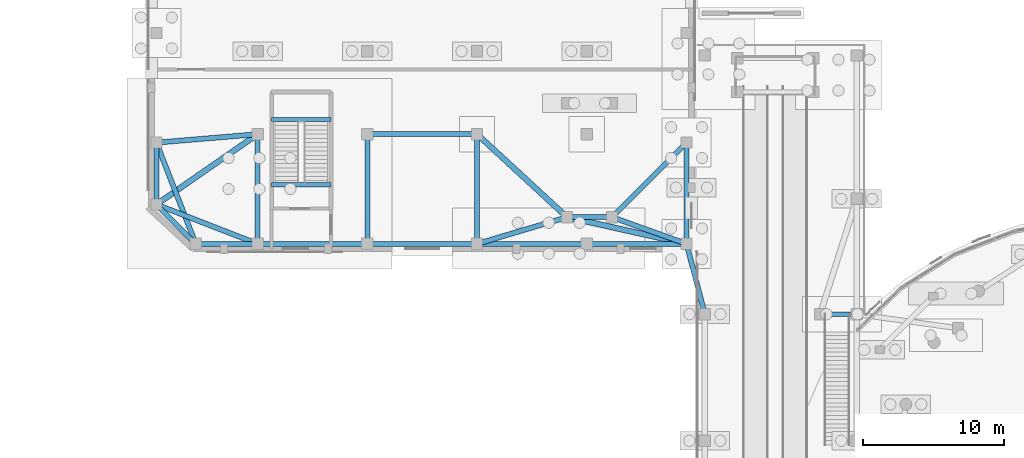
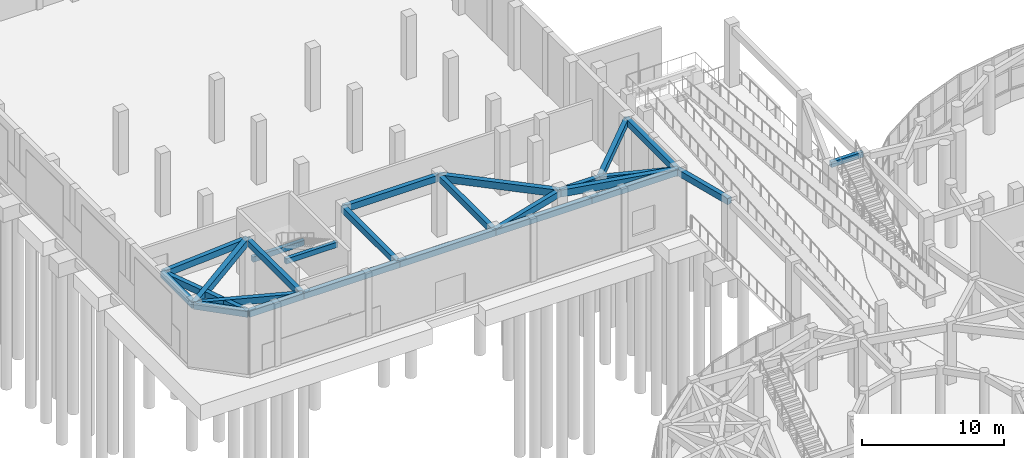
# One storey, part 34 of 96: 26 beams.
"""IFC4 building model written with IfcOpenShell, lengths in metres."""

from ifc_helpers import new_model, si_unit, direction, frame, origin, origin_2d, place, context, subcontext, project, spatial, rectangle, extrude, material, material_profile, profile_set, type_object, element, save


model = new_model("IFC4")

# Units and contexts
model_context = context("Model", 3, precision=1e-05, world=origin(), true_north=direction((0.0, 1.0)))
body_context = subcontext(model_context, "Body", "Model", "MODEL_VIEW")
ifc_project = project(units=[si_unit("LENGTHUNIT", "METRE"), si_unit("AREAUNIT", "SQUARE_METRE"), si_unit("VOLUMEUNIT", "CUBIC_METRE"), si_unit("PLANEANGLEUNIT", "RADIAN"), si_unit("MASSUNIT", "GRAM", prefix="KILO")], contexts=[model_context])

# Site, building, storey
site_placement = place(None, origin())
site = spatial("IfcSite", under=ifc_project, at=site_placement, CompositionType="ELEMENT")
building_placement = place(site_placement, origin())
building = spatial("IfcBuilding", under=site, at=building_placement, Name="Pelvatis Terrace Science Centre", CompositionType="ELEMENT")
storey_placement = place(building_placement, origin())
storey = spatial("IfcBuildingStorey", under=building, at=storey_placement, Name="L00", CompositionType="ELEMENT", Elevation=0.0)

# Beams
ifc_material_1 = material(Name="Concrete C35/45", Category="concrete")
ifc_material_profile_1 = material_profile(ifc_material_1, rectangle(XDim=0.300048828125, YDim=0.449951171875, at=origin_2d()), Name="RC-BM 300x450")
ifc_profile_set_1 = profile_set([ifc_material_profile_1], Name="Concrete C35/45")
beam_type_1 = type_object("IfcBeamType", Name="BM-RC-300x450", PredefinedType="BEAM", material=ifc_profile_set_1)
beam_1_placement = place(storey_placement, frame((16.60009765625, 75.0, 4.919921875), z_axis=(1.0, 0.0, 0.0), x_axis=(0.0, 1.0, 0.0)))
element("IfcBeam", 1, at=beam_1_placement, inside=storey, type_object=beam_type_1, Name="Stair ST-07 header beam (L00)", PredefinedType="BEAM", context=body_context, shape_type="SweptSolid", body=[
    extrude(rectangle(XDim=0.300048828125, YDim=0.449951171875, at=origin_2d()), origin(), (0.0, 0.0, 1.0), 4.199951171875),
])
beam_2_placement = place(storey_placement, frame((55.60009765625, 65.800048828125, 5.14990234375), z_axis=(1.0, 0.0, 0.0), x_axis=(0.0, 1.0, 0.0)))
element("IfcBeam", 2, at=beam_2_placement, inside=storey, type_object=beam_type_1, Name="Monumental stair landing beam 2", PredefinedType="BEAM", context=body_context, shape_type="SweptSolid", body=[
    extrude(rectangle(XDim=0.300048828125, YDim=0.449951171875, at=origin_2d()), origin(), (0.0, 0.0, 1.0), 2.599853515625),
])
beam_3_placement = place(storey_placement, frame((16.60009765625, 79.64990234375, 2.260009765625), z_axis=(1.0, 0.0, 0.0), x_axis=(0.0, 1.0, 0.0)))
element("IfcBeam", 3, at=beam_3_placement, inside=storey, type_object=beam_type_1, Name="Stair ST-07 half-landing beam (L00)", PredefinedType="BEAM", context=body_context, shape_type="SweptSolid", body=[
    extrude(rectangle(XDim=0.300048828125, YDim=0.449951171875, at=origin_2d()), origin(), (0.0, 0.0, 1.0), 4.199951171875),
])
ifc_material_2 = material(Name="Concrete C35/45", Category="concrete")
ifc_material_profile_2 = material_profile(ifc_material_2, rectangle(XDim=0.360107421875, YDim=0.550048828125, at=origin_2d()), Name="RC-BM 360x550")
ifc_profile_set_2 = profile_set([ifc_material_profile_2], Name="Concrete C35/45")
beam_type_2 = type_object("IfcBeamType", Name="BM-RC-360x550", PredefinedType="BEAM", material=ifc_profile_set_2)
beam_4_placement = place(storey_placement, frame((11.199951171875, 70.800048828125, 4.864990234375), z_axis=(-0.362453886512, 0.932001706089, 0.0), x_axis=(-0.932001706089, -0.362453886512, 0.0)))
element("IfcBeam", 4, at=beam_4_placement, inside=storey, type_object=beam_type_2, Name="Beam BM-L00-2236", PredefinedType="BEAM", context=body_context, shape_type="SweptSolid", body=[
    extrude(rectangle(XDim=0.360107421875, YDim=0.550048828125, at=origin_2d()), origin(), (0.0, 0.0, 1.0), 7.725341796875),
])
beam_5_placement = place(storey_placement, frame((11.199951171875, 70.800048828125, 4.864990234375), z_axis=(1.0, 0.0, 0.0), x_axis=(0.0, 1.0, 0.0)))
element("IfcBeam", 5, at=beam_5_placement, inside=storey, type_object=beam_type_2, Name="Beam BM-L00-2237", PredefinedType="BEAM", context=body_context, shape_type="SweptSolid", body=[
    extrude(rectangle(XDim=0.360107421875, YDim=0.550048828125, at=origin_2d()), origin(), (0.0, 0.0, 1.0), 4.400146484375),
])
beam_6_placement = place(storey_placement, frame((11.199951171875, 70.800048828125, 4.864990234375), z_axis=(-0.707106781187, 0.707106781187, 0.0), x_axis=(-0.707106781187, -0.707106781187, 0.0)))
element("IfcBeam", 6, at=beam_6_placement, inside=storey, type_object=beam_type_2, Name="Beam BM-L00-2238", PredefinedType="BEAM", context=body_context, shape_type="SweptSolid", body=[
    extrude(rectangle(XDim=0.360107421875, YDim=0.550048828125, at=origin_2d()), origin(), (0.0, 0.0, 1.0), 3.9599609375),
])
beam_7_placement = place(storey_placement, frame((8.39990234375, 78.0, 4.864990234375), z_axis=(0.0, -1.0, 0.0), x_axis=(1.0, 0.0, 0.0)))
element("IfcBeam", 7, at=beam_7_placement, inside=storey, type_object=beam_type_2, Name="Beam BM-L00-2239", PredefinedType="BEAM", context=body_context, shape_type="SweptSolid", body=[
    extrude(rectangle(XDim=0.360107421875, YDim=0.550048828125, at=origin_2d()), origin(), (0.0, 0.0, 1.0), 4.39990234375),
])
beam_8_placement = place(storey_placement, frame((8.39990234375, 78.0, 4.864990234375), z_axis=(0.996544826035, 0.083056665618, 0.0), x_axis=(-0.083056665618, 0.996544826035, 0.0)))
element("IfcBeam", 8, at=beam_8_placement, inside=storey, type_object=beam_type_2, Name="Beam BM-L00-2240", PredefinedType="BEAM", context=body_context, shape_type="SweptSolid", body=[
    extrude(rectangle(XDim=0.360107421875, YDim=0.550048828125, at=origin_2d()), origin(), (0.0, 0.0, 1.0), 7.22509765625),
])
beam_9_placement = place(storey_placement, frame((15.60009765625, 70.800048828125, 4.864990234375), z_axis=(1.0, 0.0, 0.0), x_axis=(0.0, 1.0, 0.0)))
element("IfcBeam", 9, at=beam_9_placement, inside=storey, type_object=beam_type_2, Name="Beam BM-L00-2241", PredefinedType="BEAM", context=body_context, shape_type="SweptSolid", body=[
    extrude(rectangle(XDim=0.360107421875, YDim=0.550048828125, at=origin_2d()), origin(), (0.0, 0.0, 1.0), 7.7998046875),
])
beam_10_placement = place(storey_placement, frame((15.60009765625, 70.800048828125, 4.864990234375), z_axis=(-0.93200585767, 0.362443211095, 0.0), x_axis=(-0.362443211095, -0.93200585767, 0.0)))
element("IfcBeam", 10, at=beam_10_placement, inside=storey, type_object=beam_type_2, Name="Beam BM-L00-2242", PredefinedType="BEAM", context=body_context, shape_type="SweptSolid", body=[
    extrude(rectangle(XDim=0.360107421875, YDim=0.550048828125, at=origin_2d()), origin(), (0.0, 0.0, 1.0), 7.7255859375),
])
for number, where, z_axis, x_axis, name in (
    (11, (15.60009765625, 70.800048828125, 4.864990234375), (0.0, 1.0, 0.0), (-1.0, 0.0, 0.0), "Beam BM-L00-2243"),
    (12, (23.39990234375, 70.800048828125, 4.864990234375), (1.0, 0.0, 0.0), (0.0, 1.0, 0.0), "Beam BM-L00-2244"),
    (13, (23.39990234375, 70.800048828125, 4.864990234375), (0.0, 1.0, 0.0), (-1.0, 0.0, 0.0), "Beam BM-L00-2245"),
    (14, (31.199951171875, 70.800048828125, 4.864990234375), (1.0, 0.0, 0.0), (0.0, 1.0, 0.0), "Beam BM-L00-2246"),
    (15, (31.199951171875, 70.800048828125, 4.864990234375), (0.0, 1.0, 0.0), (-1.0, 0.0, 0.0), "Beam BM-L00-2247"),
):
    element("IfcBeam", number, at=place(storey_placement, frame(where, z_axis=z_axis, x_axis=x_axis)), inside=storey, type_object=beam_type_2, Name=name, PredefinedType="BEAM", context=body_context, shape_type="SweptSolid", body=[
        extrude(rectangle(XDim=0.360107421875, YDim=0.550048828125, at=origin_2d()), origin(), (0.0, 0.0, 1.0), 7.800048828125),
    ])
beam_11_placement = place(storey_placement, frame((31.199951171875, 70.800048828125, 4.864990234375), z_axis=(0.958652634066, 0.284578859367, 0.0), x_axis=(-0.284578859367, 0.958652634066, 0.0)))
element("IfcBeam", 16, at=beam_11_placement, inside=storey, type_object=beam_type_2, Name="Beam BM-L00-2248", PredefinedType="BEAM", context=body_context, shape_type="SweptSolid", body=[
    extrude(rectangle(XDim=0.360107421875, YDim=0.550048828125, at=origin_2d()), origin(), (0.0, 0.0, 1.0), 6.67626953125),
])
beam_12_placement = place(storey_placement, frame((39.0, 70.800048828125, 4.864990234375), z_axis=(1.0, 0.0, 0.0), x_axis=(0.0, 1.0, 0.0)))
element("IfcBeam", 17, at=beam_12_placement, inside=storey, type_object=beam_type_2, Name="Beam BM-L00-2249", PredefinedType="BEAM", context=body_context, shape_type="SweptSolid", body=[
    extrude(rectangle(XDim=0.360107421875, YDim=0.550048828125, at=origin_2d()), origin(), (0.0, 0.0, 1.0), 7.10009765625),
])
beam_13_placement = place(storey_placement, frame((46.10009765625, 70.800048828125, 4.864990234375), z_axis=(0.0, 1.0, 0.0), x_axis=(-1.0, 0.0, 0.0)))
element("IfcBeam", 18, at=beam_13_placement, inside=storey, type_object=beam_type_2, Name="Beam BM-L00-2250", PredefinedType="BEAM", context=body_context, shape_type="SweptSolid", body=[
    extrude(rectangle(XDim=0.360107421875, YDim=0.550048828125, at=origin_2d()), origin(), (0.0, 0.0, 1.0), 7.199951171875),
])
beam_14_placement = place(storey_placement, frame((46.10009765625, 70.800048828125, 4.864990234375), z_axis=(0.251598439526, -0.967831713279, 0.0), x_axis=(0.967831713279, 0.251598439526, 0.0)))
element("IfcBeam", 19, at=beam_14_placement, inside=storey, type_object=beam_type_2, Name="Beam BM-L00-2251", PredefinedType="BEAM", context=body_context, shape_type="SweptSolid", body=[
    extrude(rectangle(XDim=0.360107421875, YDim=0.550048828125, at=origin_2d()), origin(), (0.0, 0.0, 1.0), 5.166259765625),
])
beam_15_placement = place(storey_placement, frame((46.10009765625, 70.800048828125, 4.864990234375), z_axis=(-0.941345901444, 0.337443171267, 0.0), x_axis=(-0.337443171267, -0.941345901444, 0.0)))
element("IfcBeam", 20, at=beam_15_placement, inside=storey, type_object=beam_type_2, Name="Beam BM-L00-2253", PredefinedType="BEAM", context=body_context, shape_type="SweptSolid", body=[
    extrude(rectangle(XDim=0.360107421875, YDim=0.550048828125, at=origin_2d()), origin(), (0.0, 0.0, 1.0), 5.63037109375),
])
beam_16_placement = place(storey_placement, frame((46.10009765625, 78.0, 4.864990234375), z_axis=(-0.707106781187, -0.707106781187, 0.0), x_axis=(0.707106781187, -0.707106781187, 0.0)))
element("IfcBeam", 21, at=beam_16_placement, inside=storey, type_object=beam_type_2, Name="Beam BM-L00-2254", PredefinedType="BEAM", context=body_context, shape_type="SweptSolid", body=[
    extrude(rectangle(XDim=0.360107421875, YDim=0.550048828125, at=origin_2d()), origin(), (0.0, 0.0, 1.0), 7.495361328125),
])
beam_17_placement = place(storey_placement, frame((23.39990234375, 78.60009765625, 4.864990234375), z_axis=(1.0, 0.0, 0.0), x_axis=(0.0, 1.0, 0.0)))
element("IfcBeam", 22, at=beam_17_placement, inside=storey, type_object=beam_type_2, Name="Beam BM-L00-2256", PredefinedType="BEAM", context=body_context, shape_type="SweptSolid", body=[
    extrude(rectangle(XDim=0.360107421875, YDim=0.550048828125, at=origin_2d()), origin(), (0.0, 0.0, 1.0), 7.800048828125),
])
beam_18_placement = place(storey_placement, frame((37.60009765625, 72.699951171875, 4.864990234375), z_axis=(1.0, 0.0, 0.0), x_axis=(0.0, 1.0, 0.0)))
element("IfcBeam", 23, at=beam_18_placement, inside=storey, type_object=beam_type_2, Name="Beam BM-L00-2536", PredefinedType="BEAM", context=body_context, shape_type="SweptSolid", body=[
    extrude(rectangle(XDim=0.360107421875, YDim=0.550048828125, at=origin_2d()), origin(), (0.0, 0.0, 1.0), 3.199951171875),
])
ifc_material_3 = material(Name="Concrete C35/45", Category="concrete")
ifc_material_profile_3 = material_profile(ifc_material_3, rectangle(XDim=0.39990234375, YDim=0.60009765625, at=origin_2d()), Name="RC-BM 400x600")
ifc_profile_set_3 = profile_set([ifc_material_profile_3], Name="Concrete C35/45")
beam_type_3 = type_object("IfcBeamType", Name="BM-RC-400x600", PredefinedType="BEAM", material=ifc_profile_set_3)
beam_19_placement = place(storey_placement, frame((46.10009765625, 70.800048828125, 4.840087890625), z_axis=(-0.975918540379, 0.218135284962, 0.0), x_axis=(-0.218135284962, -0.975918540379, 0.0)))
element("IfcBeam", 24, at=beam_19_placement, inside=storey, type_object=beam_type_3, Name="Beam BM-L00-2252", PredefinedType="BEAM", context=body_context, shape_type="SweptSolid", body=[
    extrude(rectangle(XDim=0.39990234375, YDim=0.60009765625, at=origin_2d()), origin(), (0.0, 0.0, 1.0), 8.709716796875),
])
beam_20_placement = place(storey_placement, frame((8.39990234375, 73.60009765625, 4.840087890625), z_axis=(0.821377214656, 0.570385370818, 0.0), x_axis=(-0.570385370818, 0.821377214656, 0.0)))
element("IfcBeam", 25, at=beam_20_placement, inside=storey, type_object=beam_type_3, Name="Beam BM-L00-2255", PredefinedType="BEAM", context=body_context, shape_type="SweptSolid", body=[
    extrude(rectangle(XDim=0.39990234375, YDim=0.60009765625, at=origin_2d()), origin(), (0.0, 0.0, 1.0), 8.76611328125),
])
beam_21_placement = place(storey_placement, frame((31.199951171875, 78.60009765625, 4.840087890625), z_axis=(0.735243076068, -0.677803525437, 0.0), x_axis=(0.677803525437, 0.735243076068, 0.0)))
element("IfcBeam", 26, at=beam_21_placement, inside=storey, type_object=beam_type_3, Name="Beam BM-L00-2257", PredefinedType="BEAM", context=body_context, shape_type="SweptSolid", body=[
    extrude(rectangle(XDim=0.39990234375, YDim=0.60009765625, at=origin_2d()), origin(), (0.0, 0.0, 1.0), 8.704833984375),
])

save(model, "model.ifc")
